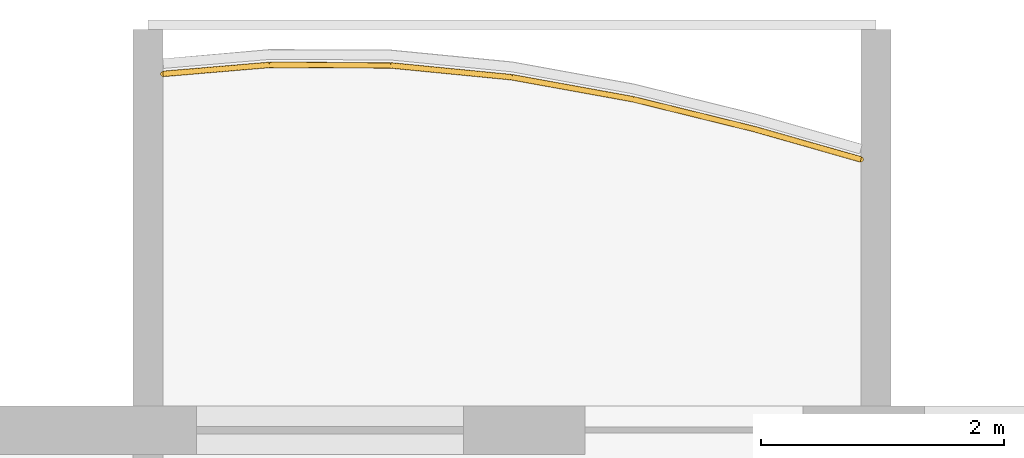
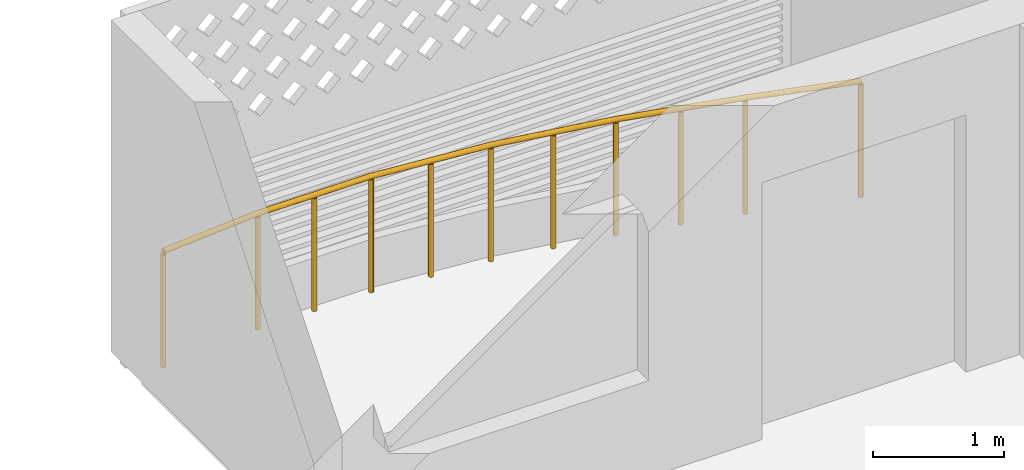
# One storey, part 15 of 26: 1 railing.
"""IFC4 building model written with IfcOpenShell, lengths in metres."""

from ifc_helpers import new_model, si_unit, direction, frame, origin, origin_2d, place, context, subcontext, project, spatial, circle, extrude, material, type_object, element, save


model = new_model("IFC4")

# Units and contexts
model_context = context("Model", 3, precision=1e-05, world=origin(), true_north=direction((0.0, 1.0)))
body_context = subcontext(model_context, "Body", "Model", "MODEL_VIEW")
ifc_project = project(units=[si_unit("LENGTHUNIT", "METRE"), si_unit("AREAUNIT", "SQUARE_METRE"), si_unit("VOLUMEUNIT", "CUBIC_METRE"), si_unit("PLANEANGLEUNIT", "RADIAN"), si_unit("MASSUNIT", "GRAM", prefix="KILO")], contexts=[model_context])

# Site, building, storey
site_placement = place(None, origin())
site = spatial("IfcSite", under=ifc_project, at=site_placement, CompositionType="ELEMENT")
building_placement = place(site_placement, origin())
building = spatial("IfcBuilding", under=site, at=building_placement, Name="Poui Terraces", CompositionType="ELEMENT")
storey_placement = place(building_placement, frame((0.0, 0.0, 178.5)))
storey = spatial("IfcBuildingStorey", under=building, at=storey_placement, Name="L49", CompositionType="ELEMENT", Elevation=178.5)

# Railing
ifc_material = material(Name="Painted steel fretwork", Category="steel")
railing_type = type_object("IfcRailingType", Name="BALCONY GUARD 1100", PredefinedType="GUARDRAIL", material=ifc_material)
railing_placement = place(storey_placement, frame((24.125, 44.135986328125, 0.0)))
element("IfcRailing", 1, at=railing_placement, inside=storey, type_object=railing_type, Name="BALCONY GUARD", PredefinedType="GUARDRAIL", context=body_context, shape_type="SweptSolid", body=[
    extrude(circle(Radius=0.02392578125, at=origin_2d()), frame((0.0, 0.0, 1.076171875), z_axis=(0.996445334102, 0.08424189069, 0.0), x_axis=(-0.08424189069, 0.996445334102, 0.0)), (0.0, 0.0, 1.0), 0.878173828125),
    extrude(circle(Radius=0.02392578125, at=origin_2d()), frame((0.875, 0.073974609375, 1.076171875), z_axis=(0.99999138724, -0.004150354879, 0.0), x_axis=(0.004150354879, 0.99999138724, 0.0)), (0.0, 0.0, 1.0), 1.0),
    extrude(circle(Radius=0.02392578125, at=origin_2d()), frame((1.875, 0.06982421875, 1.076171875), z_axis=(0.995265465661, -0.097193893131, 0.0), x_axis=(0.097193893131, 0.995265465661, 0.0)), (0.0, 0.0, 1.0), 1.004638671875),
    extrude(circle(Radius=0.02392578125, at=origin_2d()), frame((2.875, -0.02783203125, 1.076171875), z_axis=(0.983942855126, -0.178483774746, 0.0), x_axis=(0.178483774746, 0.983942855126, 0.0)), (0.0, 0.0, 1.0), 1.016357421875),
    extrude(circle(Radius=0.02392578125, at=origin_2d()), frame((3.875, -0.209228515625, 1.076171875), z_axis=(0.970973389115, -0.239187536528, 0.0), x_axis=(0.239187536528, 0.970973389115, 0.0)), (0.0, 0.0, 1.0), 1.02978515625),
    extrude(circle(Radius=0.02392578125, at=origin_2d()), frame((4.875, -0.45556640625, 1.076171875), z_axis=(0.961736307653, -0.273976777376, 0.0), x_axis=(0.273976777376, 0.961736307653, 0.0)), (0.0, 0.0, 1.0), 0.909912109375),
    extrude(circle(Radius=0.02099609375, at=origin_2d()), origin(), (0.0, 0.0, 1.0), 1.052001953125),
    extrude(circle(Radius=0.02099609375, at=origin_2d()), frame((0.875, 0.073974609375, 0.0)), (0.0, 0.0, 1.0), 1.052001953125),
    extrude(circle(Radius=0.02099609375, at=origin_2d()), frame((1.375, 0.07177734375, 0.0)), (0.0, 0.0, 1.0), 1.052001953125),
    extrude(circle(Radius=0.02099609375, at=origin_2d()), frame((1.875, 0.06982421875, 0.0)), (0.0, 0.0, 1.0), 1.052001953125),
    extrude(circle(Radius=0.02099609375, at=origin_2d()), frame((2.375, 0.02099609375, 0.0)), (0.0, 0.0, 1.0), 1.052001953125),
    extrude(circle(Radius=0.02099609375, at=origin_2d()), frame((2.875, -0.02783203125, 0.0)), (0.0, 0.0, 1.0), 1.052001953125),
    extrude(circle(Radius=0.02099609375, at=origin_2d()), frame((3.375, -0.11865234375, 0.0)), (0.0, 0.0, 1.0), 1.052001953125),
    extrude(circle(Radius=0.02099609375, at=origin_2d()), frame((3.875, -0.209228515625, 0.0)), (0.0, 0.0, 1.0), 1.052001953125),
    extrude(circle(Radius=0.02099609375, at=origin_2d()), frame((4.375, -0.33251953125, 0.0)), (0.0, 0.0, 1.0), 1.052001953125),
    extrude(circle(Radius=0.02099609375, at=origin_2d()), frame((4.875, -0.45556640625, 0.0)), (0.0, 0.0, 1.0), 1.052001953125),
    extrude(circle(Radius=0.02099609375, at=origin_2d()), frame((5.75, -0.704833984375, 0.0)), (0.0, 0.0, 1.0), 1.052001953125),
])

save(model, "model.ifc")
